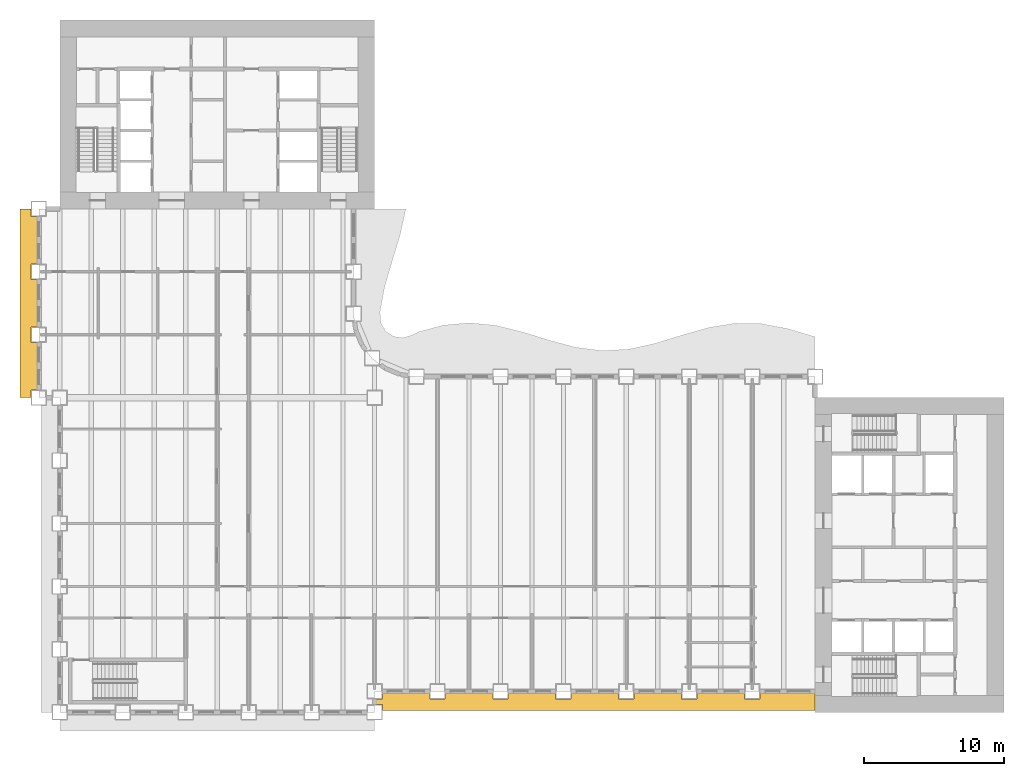
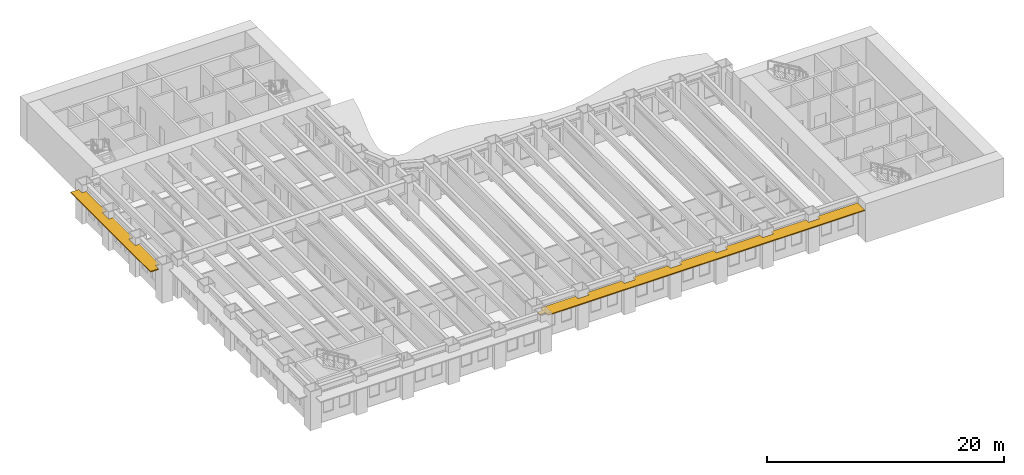
# One storey, part 13 of 17: 2 shading devices.
"""IFC4 building model written with IfcOpenShell, lengths in metres."""

from ifc_helpers import new_model, si_unit, direction, frame, origin, place, context, subcontext, project, spatial, polyline, outline, extrude, material, layer, layer_set, type_object, element, save


model = new_model("IFC4")

# Units and contexts
model_context = context("Model", 3, precision=1e-05, world=origin(), true_north=direction((0.0, 1.0)))
body_context = subcontext(model_context, "Body", "Model", "MODEL_VIEW")
ifc_project = project(units=[si_unit("LENGTHUNIT", "METRE"), si_unit("AREAUNIT", "SQUARE_METRE"), si_unit("VOLUMEUNIT", "CUBIC_METRE"), si_unit("PLANEANGLEUNIT", "RADIAN"), si_unit("MASSUNIT", "GRAM", prefix="KILO")], contexts=[model_context])

# Site, building, storey
site_placement = place(None, origin())
site = spatial("IfcSite", under=ifc_project, at=site_placement, CompositionType="ELEMENT")
building_placement = place(site_placement, origin())
building = spatial("IfcBuilding", under=site, at=building_placement, Name="Sennacour Bend Tower", CompositionType="ELEMENT")
storey_placement = place(building_placement, frame((0.0, 0.0, 49.0)))
storey = spatial("IfcBuildingStorey", under=building, at=storey_placement, Name="L10", CompositionType="ELEMENT", Elevation=49.0)

# Shading devices
ifc_material = material(Name="Bronze anodised aluminium", Category="aluminium")
ifc_layer = layer(ifc_material, 0.10009765625, Name="Bronze anodised aluminium", Category="aluminium")
ifc_layer_set = layer_set([ifc_layer], Name="Bronze anodised aluminium")
shading_device_type = type_object("IfcShadingDeviceType", Name="SUNSHADE BAND STRAIGHT", PredefinedType="USERDEFINED", material=ifc_layer_set)
shading_device_1_placement = place(storey_placement, frame((0.0, 0.0, 3.0439453125)))
element("IfcShadingDevice", 1, at=shading_device_1_placement, inside=storey, type_object=shading_device_type, Name="Sunshade band L10 A outer face", ObjectType="SUNSHADE", PredefinedType="USERDEFINED", context=body_context, shape_type="SweptSolid", body=[
    extrude(outline(polyline([(26.449951171875, 1.35009765625), (26.449951171875, 0.949951171875), (27.550048828125, 0.949951171875), (27.550048828125, 1.35009765625), (30.949951171875, 1.35009765625), (30.949951171875, 0.949951171875), (32.050048828125, 0.949951171875), (32.050048828125, 1.35009765625), (35.449951171875, 1.35009765625), (35.449951171875, 0.949951171875), (36.550048828125, 0.949951171875), (36.550048828125, 1.35009765625), (39.949951171875, 1.35009765625), (39.949951171875, 0.949951171875), (41.050048828125, 0.949951171875), (41.050048828125, 1.35009765625), (44.449951171875, 1.35009765625), (44.449951171875, 0.949951171875), (45.550048828125, 0.949951171875), (45.550048828125, 1.35009765625), (48.949951171875, 1.35009765625), (48.949951171875, 0.949951171875), (50.050048828125, 0.949951171875), (50.050048828125, 1.35009765625), (54.0, 1.35009765625), (54.0, 0.14990234375), (23.050048828125, 0.14990234375), (23.050048828125, 0.550048828125), (22.5, 0.550048828125), (22.5, 0.949951171875), (23.050048828125, 0.949951171875), (23.050048828125, 1.35009765625), (26.449951171875, 1.35009765625)])), origin(), (0.0, 0.0, 1.0), 0.10009765625),
])
shading_device_2_placement = place(storey_placement, frame((0.0, 0.0, 3.0439453125)))
element("IfcShadingDevice", 2, at=shading_device_2_placement, inside=storey, type_object=shading_device_type, Name="Sunshade band L10 B outer face", ObjectType="SUNSHADE", PredefinedType="USERDEFINED", context=body_context, shape_type="SweptSolid", body=[
    extrude(outline(polyline([(-1.64990234375, 32.050048828125), (-2.050048828125, 32.050048828125), (-2.050048828125, 30.949951171875), (-1.64990234375, 30.949951171875), (-1.64990234375, 27.550048828125), (-2.050048828125, 27.550048828125), (-2.050048828125, 26.449951171875), (-1.64990234375, 26.449951171875), (-1.64990234375, 23.050048828125), (-2.050048828125, 23.050048828125), (-2.050048828125, 22.5), (-2.85009765625, 22.5), (-2.85009765625, 36.0), (-2.050048828125, 36.0), (-2.050048828125, 35.449951171875), (-1.64990234375, 35.449951171875), (-1.64990234375, 32.050048828125)])), origin(), (0.0, 0.0, 1.0), 0.10009765625),
])

save(model, "model.ifc")
